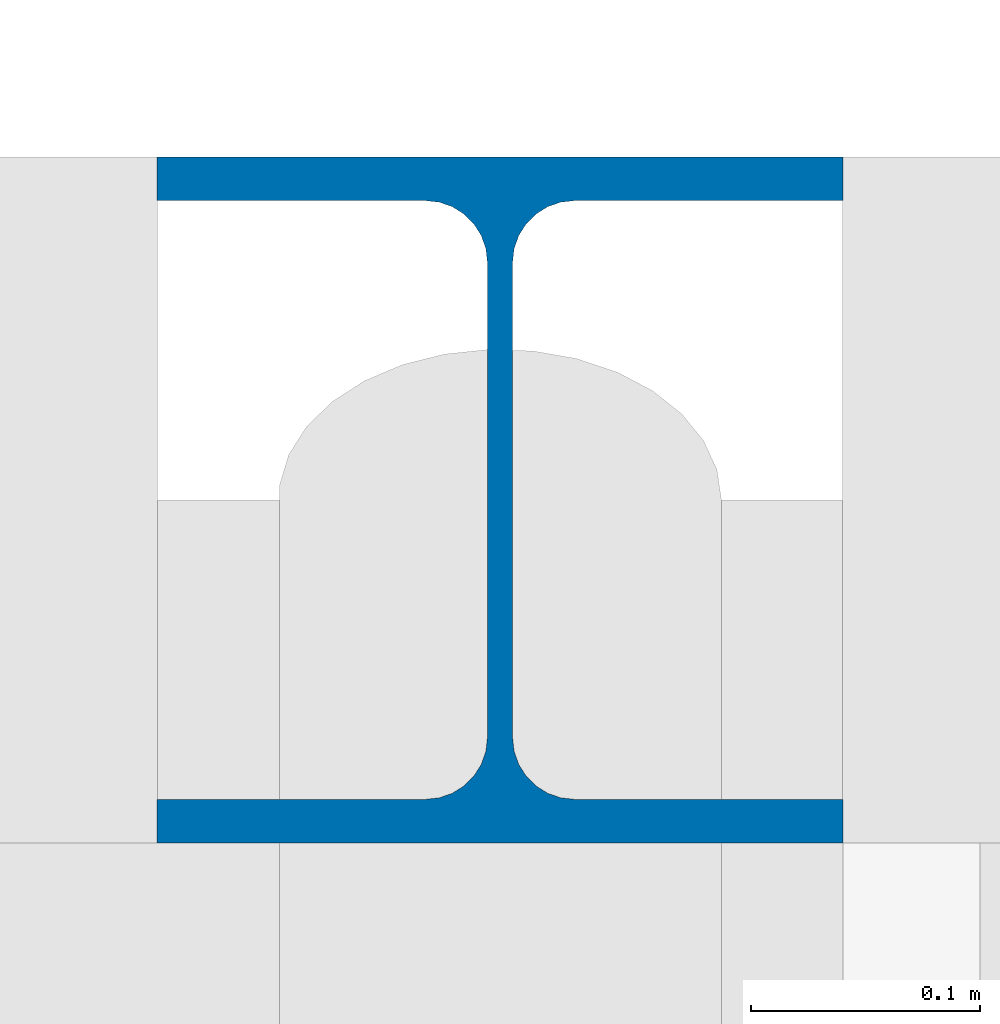
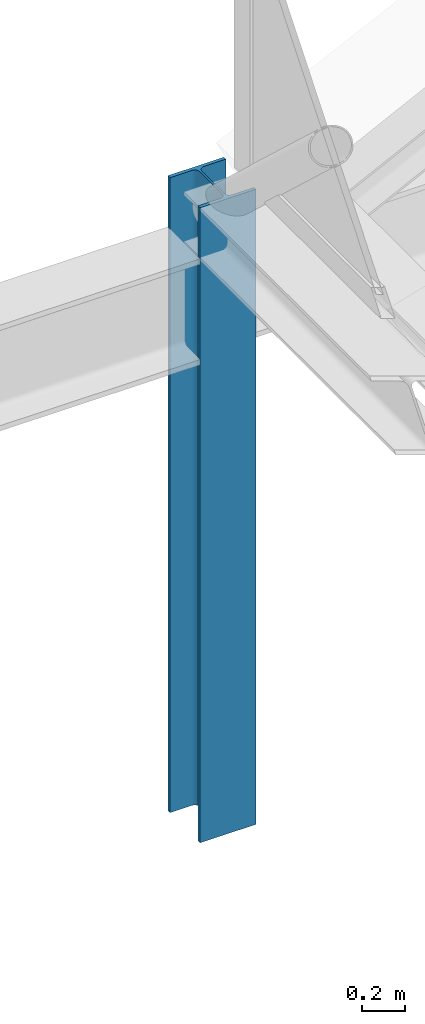
# One storey, part 5 of 101: 1 column.
"""IFC4 building model written with IfcOpenShell, lengths in metres."""

import ifcopenshell
import ifcopenshell.guid

model = None  # the IFC model being written
_history = None  # IfcOwnerHistory: only IFC2X3 demands one
_inside = {}  # id of a spatial element -> (the spatial element, [elements in it])
_under = {}  # id of a project, library or spatial element -> (it, [spatial elements below it])
_declared = {}  # id of a project -> (the project, [libraries it declares])
_typed = {}  # id of a type object -> (the type object, [elements of that type])
_made_of = {}  # id of a material, layer set ... -> (it, [elements and type objects made of it])


def new_model(schema):
    """Start an empty IFC model of exactly this schema.

    Asked for "IFC4X3", IfcOpenShell would pick the latest addendum, in which some entities
    have other attributes; the version numbers below select the first issue.
    IFC2X3 requires an IfcOwnerHistory on every rooted entity: one is made here for all.
    """
    global model, _history
    if schema == "IFC4X3":
        model = ifcopenshell.file(schema_version=(4, 3, 0, 0))
    else:
        model = ifcopenshell.file(schema=schema)
    _inside.clear()
    _under.clear()
    _declared.clear()
    _typed.clear()
    _made_of.clear()
    _history = None
    if model.schema == "IFC2X3":
        org = make("IfcOrganization", Name="unknown")
        user = make(
            "IfcPersonAndOrganization",
            ThePerson=make("IfcPerson", FamilyName="unknown"),
            TheOrganization=org,
        )
        app = make(
            "IfcApplication",
            ApplicationDeveloper=org,
            Version="unknown",
            ApplicationFullName="unknown",
            ApplicationIdentifier="unknown",
        )
        _history = make(
            "IfcOwnerHistory",
            OwningUser=user,
            OwningApplication=app,
            ChangeAction="ADDED",
            CreationDate=0,
        )
    return model


def make(cls, **values):
    """One entity of the class cls with the attributes given. An attribute that is None is left unset."""
    return model.create_entity(
        cls, **{name: value for name, value in values.items() if value is not None}
    )


def rooted(cls, **values):
    """An entity with a GlobalId (a new one), such as an element, a storey or a relation."""
    return make(cls, GlobalId=ifcopenshell.guid.new(), OwnerHistory=_history, **values)


def si_unit(unit_type, name, prefix=None):
    """IfcSIUnit, for example si_unit("LENGTHUNIT", "METRE", prefix="MILLI")."""
    return make("IfcSIUnit", UnitType=unit_type, Prefix=prefix, Name=name)


def assignment(units):
    """IfcUnitAssignment: the units of a project."""
    return None if units is None else make("IfcUnitAssignment", Units=units)


def point(xyz):
    """IfcCartesianPoint."""
    return None if xyz is None else make("IfcCartesianPoint", Coordinates=xyz)


def direction(xyz):
    """IfcDirection."""
    return None if xyz is None else make("IfcDirection", DirectionRatios=xyz)


def frame(location, z_axis=None, x_axis=None):
    """IfcAxis2Placement3D, a coordinate frame: its origin and axes. An axis left out is left unset."""
    return make(
        "IfcAxis2Placement3D",
        Location=point(location),
        Axis=direction(z_axis),
        RefDirection=direction(x_axis),
    )


def frame_2d(location, x_axis=None):
    """IfcAxis2Placement2D, a coordinate frame in the plane: its origin and x axis."""
    return make(
        "IfcAxis2Placement2D", Location=point(location), RefDirection=direction(x_axis)
    )


def origin():
    """The frame at (0, 0, 0) with its axes left unset."""
    return frame((0.0, 0.0, 0.0))


def origin_2d():
    """The frame at (0, 0) in the plane with its x axis left unset."""
    return frame_2d((0.0, 0.0))


def place(relative_to, where):
    """IfcLocalPlacement: puts the frame where relative to a parent placement (None: the world)."""
    return make(
        "IfcLocalPlacement", PlacementRelTo=relative_to, RelativePlacement=where
    )


def context(
    kind, dimensions, precision=None, world=None, true_north=None, identifier=None
):
    """IfcGeometricRepresentationContext, for example the 3D "Model" context."""
    return make(
        "IfcGeometricRepresentationContext",
        ContextIdentifier=identifier,
        ContextType=kind,
        CoordinateSpaceDimension=dimensions,
        Precision=precision,
        WorldCoordinateSystem=world,
        TrueNorth=true_north,
    )


def subcontext(parent, identifier, kind, view, scale=None):
    """IfcGeometricRepresentationSubContext, for example "Body" below "Model"."""
    return make(
        "IfcGeometricRepresentationSubContext",
        ContextIdentifier=identifier,
        ContextType=kind,
        ParentContext=parent,
        TargetScale=scale,
        TargetView=view,
    )


def project(units=None, contexts=None):
    """IfcProject with its units and contexts."""
    return rooted(
        "IfcProject",
        Name="project",
        RepresentationContexts=contexts,
        UnitsInContext=assignment(units),
    )


def spatial(cls, under=None, at=None, **own):
    """A site, building, storey or space (cls), placed at a placement, below another one or the project."""
    s = rooted(cls, ObjectPlacement=at, **own)
    if under is not None:
        _under.setdefault(under.id(), (under, []))[1].append(s)
    return s


def profile(cls, at=None, kind="AREA", **sizes):
    """A parametric profile (cls). Its sizes go by their IFC names, for example OverallWidth=200.0."""
    return make(cls, ProfileType=kind, Position=at, **sizes)


def i_section(**sizes):
    """IfcIShapeProfileDef."""
    return profile("IfcIShapeProfileDef", **sizes)


def extrude(swept, where, along, depth):
    """IfcExtrudedAreaSolid: the profile swept, set in the frame where, extruded along a direction by depth."""
    return make(
        "IfcExtrudedAreaSolid",
        SweptArea=swept,
        Position=where,
        ExtrudedDirection=direction(along),
        Depth=depth,
    )


def shape(context_of_items, identifier, shape_type, items):
    """IfcShapeRepresentation: the items that make up one representation, for example the "Body"."""
    return make(
        "IfcShapeRepresentation",
        ContextOfItems=context_of_items,
        RepresentationIdentifier=identifier,
        RepresentationType=shape_type,
        Items=items,
    )


def material(Name=None, Category=None):
    """IfcMaterial."""
    return make("IfcMaterial", Name=Name, Category=Category)


def material_profile(
    of_material, cross_section, Name=None, Category=None, Priority=None
):
    """IfcMaterialProfile: a cross section and its material."""
    return make(
        "IfcMaterialProfile",
        Name=Name,
        Material=of_material,
        Profile=cross_section,
        Priority=Priority,
        Category=Category,
    )


def profile_set(profiles, Name=None, composite=None):
    """IfcMaterialProfileSet."""
    return make(
        "IfcMaterialProfileSet",
        Name=Name,
        MaterialProfiles=profiles,
        CompositeProfile=composite,
    )


def made_of(thing, what):
    """Note that an element or type object is made of a material, layer set ...; save() writes the relation."""
    if what is not None:
        _made_of.setdefault(what.id(), (what, []))[1].append(thing)
    return thing


def type_object(cls, material=None, **own):
    """A type object (cls), such as IfcWallType, which elements share."""
    return made_of(rooted(cls, **own), material)


def element(
    cls,
    number,
    at=None,
    inside=None,
    cuts=None,
    type_object=None,
    material=None,
    context=None,
    identifier="Body",
    shape_type=None,
    held_by="IfcProductDefinitionShape",
    body=None,
    shapes=None,
    **own,
):
    """One element of the class cls, such as IfcWall. Its Tag is "e" and its number.

    at: its placement. inside: the storey or other place that contains it. cuts: it is an
    opening in that element (IfcRelVoidsElement). A single representation is given by context,
    identifier, shape_type and body (its items); several are given by shapes. held_by: the class
    of the entity that holds the representations. save() writes the other relations.
    """
    e = rooted(cls, Tag="e%d" % number, ObjectPlacement=at, **own)
    if body is not None:
        shapes = [shape(context, identifier, shape_type, body)]
    if shapes is not None:
        e.Representation = make(held_by, Representations=shapes)
    if inside is not None:
        _inside.setdefault(inside.id(), (inside, []))[1].append(e)
    if cuts is not None:
        rooted(
            "IfcRelVoidsElement", RelatingBuildingElement=cuts, RelatedOpeningElement=e
        )
    if type_object is not None:
        _typed.setdefault(type_object.id(), (type_object, []))[1].append(e)
    return made_of(e, material)


def aggregate(whole, parts):
    """IfcRelAggregates: a whole, such as a stair, and the parts it consists of."""
    return rooted("IfcRelAggregates", RelatingObject=whole, RelatedObjects=parts)


def save(model, path):
    """Write the relations noted so far, then the file.

    IfcRelAggregates (storeys below a building ...), IfcRelContainedInSpatialStructure (elements
    in a storey), IfcRelDefinesByType, IfcRelAssociatesMaterial and IfcRelDeclares: one each for
    every whole, place, type object, material and project.
    """
    for whole, parts in _under.values():
        aggregate(whole, parts)
    for where, things in _inside.values():
        rooted(
            "IfcRelContainedInSpatialStructure",
            RelatedElements=things,
            RelatingStructure=where,
        )
    for kind, things in _typed.values():
        rooted("IfcRelDefinesByType", RelatedObjects=things, RelatingType=kind)
    for what, things in _made_of.values():
        rooted("IfcRelAssociatesMaterial", RelatedObjects=things, RelatingMaterial=what)
    for by, libraries in _declared.values():
        rooted("IfcRelDeclares", RelatingContext=by, RelatedDefinitions=libraries)
    model.write(path)


model = new_model("IFC4")

# Units and contexts
model_context = context("Model", 3, precision=1e-05, world=origin(), true_north=direction((0.0, 1.0)))
body_context = subcontext(model_context, "Body", "Model", "MODEL_VIEW")
ifc_project = project(units=[si_unit("LENGTHUNIT", "METRE"), si_unit("AREAUNIT", "SQUARE_METRE"), si_unit("VOLUMEUNIT", "CUBIC_METRE"), si_unit("PLANEANGLEUNIT", "RADIAN"), si_unit("MASSUNIT", "GRAM", prefix="KILO")], contexts=[model_context])

# Site, building, storey
site_placement = place(None, origin())
site = spatial("IfcSite", under=ifc_project, at=site_placement, CompositionType="ELEMENT")
building_placement = place(site_placement, origin())
building = spatial("IfcBuilding", under=site, at=building_placement, Name="Zizhar Promenade General Hospital", CompositionType="ELEMENT")
storey_placement = place(building_placement, frame((0.0, 0.0, 14.39990234375)))
storey = spatial("IfcBuildingStorey", under=building, at=storey_placement, Name="L03", CompositionType="ELEMENT", Elevation=14.39990234375)

# Column
ifc_material = material(Name="Steel S355", Category="steel")
ifc_material_profile = material_profile(ifc_material, i_section(OverallWidth=0.300048828125, OverallDepth=0.300048828125, WebThickness=0.010986328125, FlangeThickness=0.01904296875, FilletRadius=0.027099609375, at=origin_2d()))
ifc_profile_set = profile_set([ifc_material_profile], Name="Steel S355")
column_type = type_object("IfcColumnType", Name="COL-STL-HEB300", PredefinedType="COLUMN", material=ifc_profile_set)
column_placement = place(storey_placement, frame((117.0, 50.39990234375, 0.0), z_axis=(0.0, 0.0, 1.0), x_axis=(1.0, 0.0, 0.0)))
element("IfcColumn", 1, at=column_placement, inside=storey, type_object=column_type, Name="Column 16-G (L03)", PredefinedType="COLUMN", context=body_context, shape_type="SweptSolid", body=[
    extrude(i_section(OverallWidth=0.300048828125, OverallDepth=0.300048828125, WebThickness=0.010986328125, FlangeThickness=0.01904296875, FilletRadius=0.027099609375, at=origin_2d()), origin(), (0.0, 0.0, 1.0), 3.60009765625),
])

save(model, "model.ifc")
